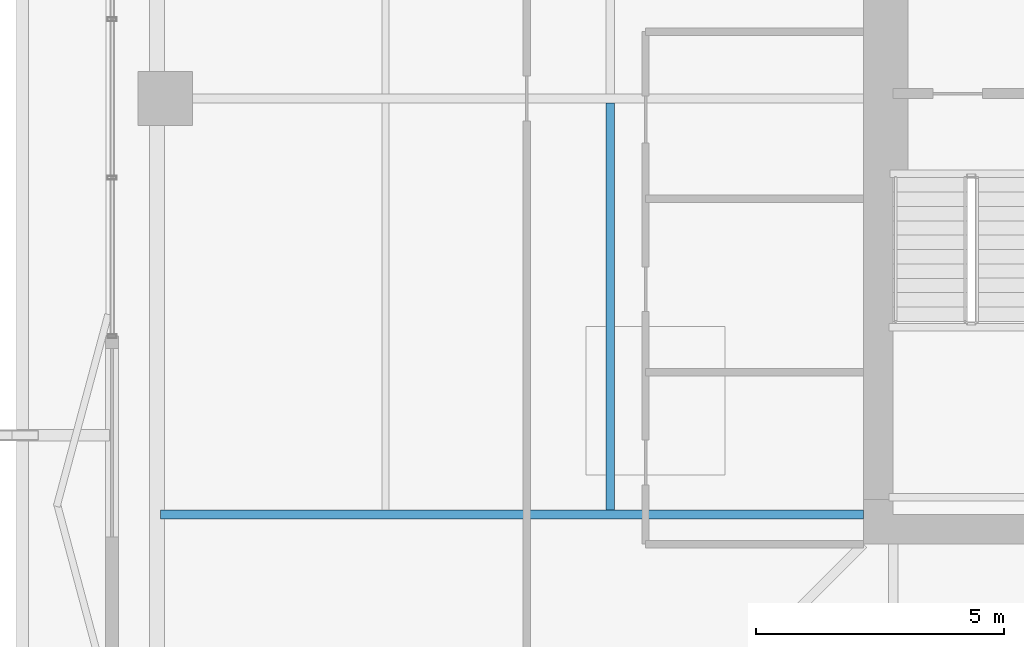
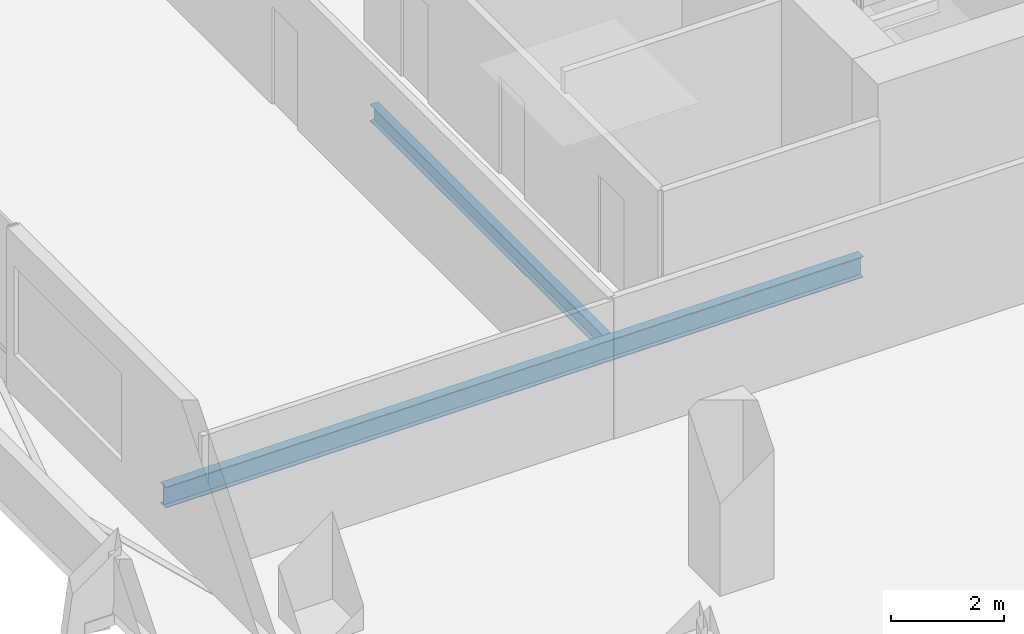
# One storey, part 5 of 16: 2 beams.
"""IFC4 building model written with IfcOpenShell, lengths in metres."""

from ifc_helpers import new_model, si_unit, direction, frame, origin, origin_2d, place, context, subcontext, project, spatial, i_section, extrude, material, material_profile, profile_set, type_object, element, save


model = new_model("IFC4")

# Units and contexts
model_context = context("Model", 3, precision=1e-05, world=origin(), true_north=direction((0.0, 1.0)))
body_context = subcontext(model_context, "Body", "Model", "MODEL_VIEW")
ifc_project = project(units=[si_unit("LENGTHUNIT", "METRE"), si_unit("AREAUNIT", "SQUARE_METRE"), si_unit("VOLUMEUNIT", "CUBIC_METRE"), si_unit("PLANEANGLEUNIT", "RADIAN"), si_unit("MASSUNIT", "GRAM", prefix="KILO")], contexts=[model_context])

# Site, building, storey
site_placement = place(None, origin())
site = spatial("IfcSite", under=ifc_project, at=site_placement, CompositionType="ELEMENT")
building_placement = place(site_placement, origin())
building = spatial("IfcBuilding", under=site, at=building_placement, Name="Belovzor Exchange Tower", CompositionType="ELEMENT")
storey_placement = place(building_placement, frame((0.0, 0.0, 138.300048828125)))
storey = spatial("IfcBuildingStorey", under=building, at=storey_placement, Name="L33", CompositionType="ELEMENT", Elevation=138.300048828125)

# Beams
ifc_material_1 = material(Name="Steel S355", Category="steel")
ifc_material_profile_1 = material_profile(ifc_material_1, i_section(OverallWidth=0.169921875, OverallDepth=0.360107421875, WebThickness=0.008056640625, FlangeThickness=0.0126953125, at=origin_2d()))
ifc_profile_set_1 = profile_set([ifc_material_profile_1], Name="Steel S355")
beam_type_1 = type_object("IfcBeamType", Name="Secondary Infill Floor Joist IPE 360", PredefinedType="BEAM", material=ifc_profile_set_1)
beam_1_placement = place(storey_placement, frame((14.69091796875, 20.4951171875, -0.43505859375), z_axis=(0.0, 1.0, 0.0), x_axis=(-1.0, 0.0, 0.0)))
element("IfcBeam", 1, at=beam_1_placement, inside=storey, type_object=beam_type_1, Name="FJ-360 Secondary Infill Floor Joist IPE 360", PredefinedType="BEAM", context=body_context, shape_type="SweptSolid", body=[
    extrude(i_section(OverallWidth=0.169921875, OverallDepth=0.360107421875, WebThickness=0.008056640625, FlangeThickness=0.0126953125, at=origin_2d()), origin(), (0.0, 0.0, 1.0), 8.2099609375),
])
ifc_material_2 = material(Name="Steel S355", Category="steel")
ifc_material_profile_2 = material_profile(ifc_material_2, i_section(OverallWidth=0.18994140625, OverallDepth=0.449951171875, WebThickness=0.009521484375, FlangeThickness=0.0146484375, at=origin_2d()))
ifc_profile_set_2 = profile_set([ifc_material_profile_2], Name="Steel S355")
beam_type_2 = type_object("IfcBeamType", Name="Zone 2-4 Radial Composite Floor Beam IPE 450", PredefinedType="BEAM", material=ifc_profile_set_2)
beam_2_placement = place(storey_placement, frame((19.800048828125, 20.39990234375, -0.47998046875), z_axis=(-1.0, 0.0, 0.0), x_axis=(0.0, -1.0, 0.0)))
element("IfcBeam", 2, at=beam_2_placement, inside=storey, type_object=beam_type_2, Name="FB-450 Zone 2-4 Radial Composite Floor Beam IPE 450", PredefinedType="BEAM", context=body_context, shape_type="SweptSolid", body=[
    extrude(i_section(OverallWidth=0.18994140625, OverallDepth=0.449951171875, WebThickness=0.009521484375, FlangeThickness=0.0146484375, at=origin_2d()), origin(), (0.0, 0.0, 1.0), 14.193115234375),
])

save(model, "model.ifc")
